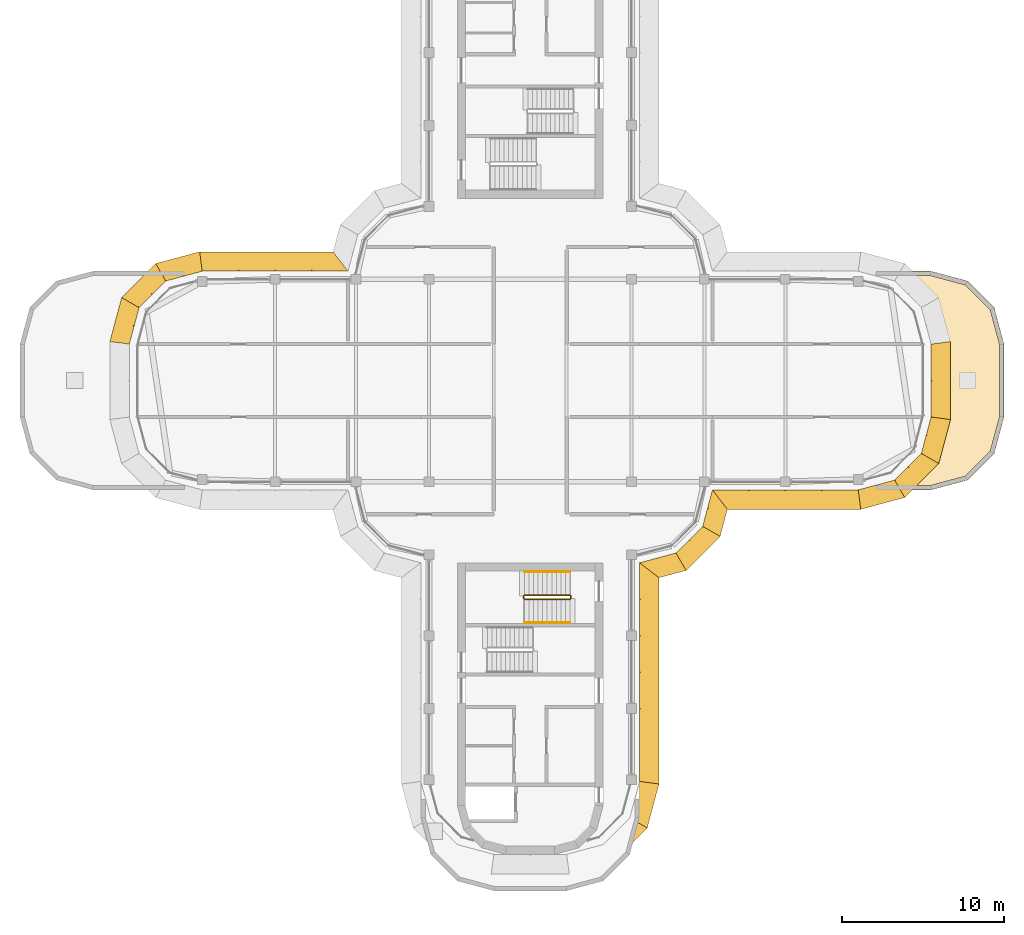
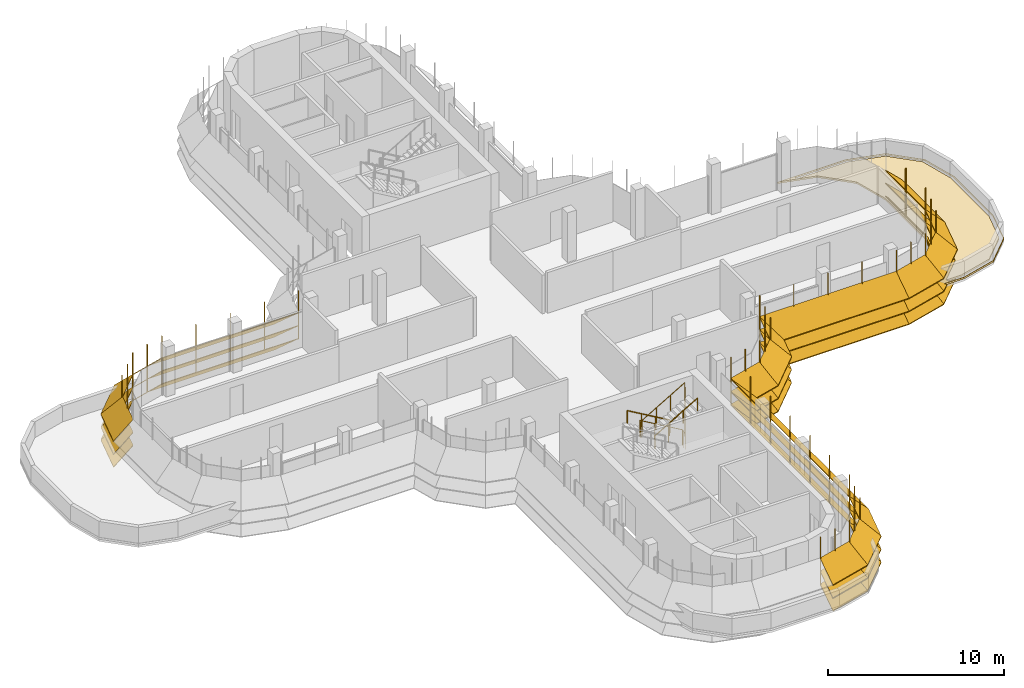
# One storey, part 18 of 20: 8 shading devices, 3 railings, 1 covering.
"""IFC4 building model written with IfcOpenShell, lengths in metres."""

from ifc_helpers import new_model, si_unit, direction, frame, origin, origin_2d, place, context, subcontext, project, spatial, polyline, circle, outline, extrude, faceted_brep, source, transform, mapped, material, layer, layer_set, type_object, element, save


model = new_model("IFC4")

# Units and contexts
model_context = context("Model", 3, precision=1e-05, world=origin(), true_north=direction((0.0, 1.0)))
body_context = subcontext(model_context, "Body", "Model", "MODEL_VIEW")
ifc_project = project(units=[si_unit("LENGTHUNIT", "METRE"), si_unit("AREAUNIT", "SQUARE_METRE"), si_unit("VOLUMEUNIT", "CUBIC_METRE"), si_unit("PLANEANGLEUNIT", "RADIAN"), si_unit("MASSUNIT", "GRAM", prefix="KILO")], contexts=[model_context])

# Site, building, storey
site_placement = place(None, origin())
site = spatial("IfcSite", under=ifc_project, at=site_placement, CompositionType="ELEMENT")
building_placement = place(site_placement, origin())
building = spatial("IfcBuilding", under=site, at=building_placement, Name="Zarbagh Exchange Tower", CompositionType="ELEMENT")
storey_placement = place(building_placement, frame((0.0, 0.0, 291.60009765625)))
storey = spatial("IfcBuildingStorey", under=building, at=storey_placement, Name="L71", CompositionType="ELEMENT", Elevation=291.60009765625)

# Railings
ifc_material_1 = material(Name="Stainless steel", Category="steel")
railing_type_1 = type_object("IfcRailingType", Name="Stair guard 1100 mm", PredefinedType="GUARDRAIL", material=ifc_material_1)
railing_1_placement = place(storey_placement, frame((-0.35009765625, -13.5, 1.963623046875)))
element("IfcRailing", 1, at=railing_1_placement, inside=storey, type_object=railing_type_1, Name="ST4 stair guard 1", PredefinedType="GUARDRAIL", context=body_context, shape_type="SweptSolid", body=[
    extrude(circle(Radius=0.02392578125, at=origin_2d()), frame((0.0, 0.0, 1.076171875), z_axis=(0.863393664356, 0.0, 0.504530851732), x_axis=(0.0, 1.0, 0.0)), (0.0, 0.0, 1.0), 3.2431640625),
    extrude(circle(Radius=0.02392578125, at=origin_2d()), frame((2.800048828125, 0.0, 2.71240234375), z_axis=(0.013900331382, 0.013900331382, -0.999806762117), x_axis=(-0.707106781187, 0.707106781187, 0.0)), (0.0, 0.0, 1.0), 3.6005859375),
    extrude(circle(Radius=0.02392578125, at=origin_2d()), frame((2.85009765625, 0.050048828125, -0.8876953125), z_axis=(0.0, 1.0, 0.0), x_axis=(-1.0, 0.0, 0.0)), (0.0, 0.0, 1.0), 0.14990234375),
    extrude(circle(Radius=0.02392578125, at=origin_2d()), frame((2.85009765625, 0.199951171875, -0.8876953125), z_axis=(-0.280808744504, 0.280808744504, 0.917765164963), x_axis=(-0.707106781187, -0.707106781187, 0.0)), (0.0, 0.0, 1.0), 0.17822265625),
    extrude(circle(Radius=0.02392578125, at=origin_2d()), frame((2.800048828125, 0.25, -0.72412109375), z_axis=(-0.863393664356, 0.0, 0.504530851732), x_axis=(0.0, -1.0, 0.0)), (0.0, 0.0, 1.0), 3.2431640625),
    extrude(circle(Radius=0.02392578125, at=origin_2d()), frame((0.0, 0.25, 0.912109375), z_axis=(-0.705375805398, -0.708833529934, 0.0), x_axis=(0.708833529934, -0.705375805398, 0.0)), (0.0, 0.0, 1.0), 0.070556640625),
    extrude(circle(Radius=0.02392578125, at=origin_2d()), frame((-0.0498046875, 0.199951171875, 0.912109375), z_axis=(0.0, -1.0, 0.0), x_axis=(1.0, 0.0, 0.0)), (0.0, 0.0, 1.0), 0.14990234375),
    extrude(circle(Radius=0.02099609375, at=origin_2d()), origin(), (0.0, 0.0, 1.0), 1.052001953125),
    extrude(circle(Radius=0.02099609375, at=origin_2d()), frame((0.933349609375, 0.0, 0.54541015625)), (0.0, 0.0, 1.0), 1.052001953125),
    extrude(circle(Radius=0.02099609375, at=origin_2d()), frame((1.86669921875, 0.0, 1.0908203125)), (0.0, 0.0, 1.0), 1.052001953125),
    extrude(circle(Radius=0.02099609375, at=origin_2d()), frame((2.800048828125, 0.0, 1.63623046875)), (0.0, 0.0, 1.0), 1.052001953125),
    extrude(circle(Radius=0.02099609375, at=origin_2d()), frame((2.8125, 0.012451171875, 0.736328125)), (0.0, 0.0, 1.0), 1.052001953125),
    extrude(circle(Radius=0.02099609375, at=origin_2d()), frame((2.8251953125, 0.02490234375, -0.16357421875)), (0.0, 0.0, 1.0), 1.052001953125),
    extrude(circle(Radius=0.02099609375, at=origin_2d()), frame((2.837646484375, 0.03759765625, -1.063720703125)), (0.0, 0.0, 1.0), 1.052001953125),
    extrude(circle(Radius=0.02099609375, at=origin_2d()), frame((2.85009765625, 0.050048828125, -1.963623046875)), (0.0, 0.0, 1.0), 1.052001953125),
    extrude(circle(Radius=0.02099609375, at=origin_2d()), frame((2.85009765625, 0.199951171875, -1.963623046875)), (0.0, 0.0, 1.0), 1.052001953125),
    extrude(circle(Radius=0.02099609375, at=origin_2d()), frame((2.800048828125, 0.25, -1.800048828125)), (0.0, 0.0, 1.0), 1.052001953125),
    extrude(circle(Radius=0.02099609375, at=origin_2d()), frame((1.86669921875, 0.25, -1.254638671875)), (0.0, 0.0, 1.0), 1.052001953125),
    extrude(circle(Radius=0.02099609375, at=origin_2d()), frame((0.933349609375, 0.25, -0.709228515625)), (0.0, 0.0, 1.0), 1.052001953125),
    extrude(circle(Radius=0.02099609375, at=origin_2d()), frame((0.0, 0.25, -0.163818359375)), (0.0, 0.0, 1.0), 1.052001953125),
    extrude(circle(Radius=0.02099609375, at=origin_2d()), frame((-0.0498046875, 0.199951171875, -0.163818359375)), (0.0, 0.0, 1.0), 1.052001953125),
    extrude(circle(Radius=0.02099609375, at=origin_2d()), frame((-0.0498046875, 0.050048828125, -0.163818359375)), (0.0, 0.0, 1.0), 1.052001953125),
])
railing_type_2 = type_object("IfcRailingType", Name="Stair handrail 900 mm", PredefinedType="HANDRAIL", material=ifc_material_1)
railing_2_placement = place(storey_placement, frame((2.449951171875, -11.800048828125, 0.16357421875)))
element("IfcRailing", 2, at=railing_2_placement, inside=storey, type_object=railing_type_2, Name="ST4 stair handrail 1", PredefinedType="HANDRAIL", context=body_context, shape_type="SweptSolid", body=[
    extrude(circle(Radius=0.02392578125, at=origin_2d()), frame((0.0, 0.0, 0.8759765625), z_axis=(-0.863393664356, 0.0, 0.504530851732), x_axis=(0.0, -1.0, 0.0)), (0.0, 0.0, 1.0), 3.2431640625),
    extrude(circle(Radius=0.02099609375, at=origin_2d()), origin(), (0.0, 0.0, 1.0), 0.851806640625),
    extrude(circle(Radius=0.02099609375, at=origin_2d()), frame((-0.933349609375, 0.0, 0.54541015625)), (0.0, 0.0, 1.0), 0.851806640625),
    extrude(circle(Radius=0.02099609375, at=origin_2d()), frame((-1.86669921875, 0.0, 1.0908203125)), (0.0, 0.0, 1.0), 0.851806640625),
    extrude(circle(Radius=0.02099609375, at=origin_2d()), frame((-2.800048828125, 0.0, 1.63623046875)), (0.0, 0.0, 1.0), 0.851806640625),
])
railing_3_placement = place(storey_placement, frame((-0.35009765625, -14.949951171875, 1.963623046875)))
element("IfcRailing", 3, at=railing_3_placement, inside=storey, type_object=railing_type_2, Name="ST4 stair handrail 2", PredefinedType="HANDRAIL", context=body_context, shape_type="SweptSolid", body=[
    extrude(circle(Radius=0.02392578125, at=origin_2d()), frame((0.0, 0.0, 0.8759765625), z_axis=(0.863393664356, 0.0, 0.504530851732), x_axis=(0.0, 1.0, 0.0)), (0.0, 0.0, 1.0), 3.2431640625),
    extrude(circle(Radius=0.02099609375, at=origin_2d()), origin(), (0.0, 0.0, 1.0), 0.851806640625),
    extrude(circle(Radius=0.02099609375, at=origin_2d()), frame((0.933349609375, 0.0, 0.54541015625)), (0.0, 0.0, 1.0), 0.851806640625),
    extrude(circle(Radius=0.02099609375, at=origin_2d()), frame((1.86669921875, 0.0, 1.0908203125)), (0.0, 0.0, 1.0), 0.851806640625),
    extrude(circle(Radius=0.02099609375, at=origin_2d()), frame((2.800048828125, 0.0, 1.63623046875)), (0.0, 0.0, 1.0), 0.851806640625),
])

# Covering
ifc_material_2 = material(Name="Bituminous membrane and screed")
ifc_layer = layer(ifc_material_2, 0.1201171875)
ifc_layer_set = layer_set([ifc_layer], Name="Terrace roofing build-up, waterproofing and screed")
covering_type = type_object("IfcCoveringType", Name="Terrace roofing build-up, waterproofing and screed", PredefinedType="ROOFING", material=ifc_layer_set)
covering_placement = place(storey_placement, origin())
element("IfcCovering", 4, at=covering_placement, inside=storey, type_object=covering_type, Name="crown roofing", PredefinedType="ROOFING", context=body_context, shape_type="SweptSolid", body=[
    extrude(outline(polyline([(27.0, 6.147216796875), (28.647216796875, 4.5), (29.25, 2.25), (29.25, -2.25), (28.647216796875, -4.5), (27.0, -6.147216796875), (24.75, -6.75), (20.25, -6.75), (22.5, -6.147216796875), (24.147216796875, -4.5), (24.75, -2.25), (24.75, 2.25), (24.147216796875, 4.5), (22.5, 6.147216796875), (20.25, 6.75), (24.75, 6.75), (27.0, 6.147216796875)]), holes=[polyline([(21.351318359375, -6.47998046875), (21.351318359375, -6.72998046875), (24.747314453125, -6.72998046875), (26.989501953125, -6.129150390625), (28.629150390625, -4.489501953125), (29.22998046875, -2.247314453125), (29.22998046875, 2.247314453125), (28.629150390625, 4.489501953125), (26.989501953125, 6.129150390625), (24.747314453125, 6.72998046875), (21.351318359375, 6.72998046875), (21.351318359375, 6.47998046875), (24.714599609375, 6.47998046875), (26.860107421875, 5.905029296875), (28.405029296875, 4.360107421875), (28.97998046875, 2.214599609375), (28.97998046875, -2.214599609375), (28.405029296875, -4.360107421875), (26.860107421875, -5.905029296875), (24.714599609375, -6.47998046875), (21.351318359375, -6.47998046875)])]), origin(), (0.0, 0.0, 1.0), 0.119873046875),
])

# Shading devices
ifc_material_3 = material(Name="Anodised aluminium blades and brackets", Category="aluminium")
shading_device_type = type_object("IfcShadingDeviceType", Name="SUNSHADE louvre band, 45 degree blades", PredefinedType="JALOUSIE", material=ifc_material_3)
shared_shape_1 = source(origin(), body_context, "Body", "Brep", [
    faceted_brep([(0.0, 0.0, 0.0), (0.0, 0.0, -0.056640625), (-0.157958984375, -1.199951171875, -1.256591796875), (-0.157958984375, -1.199951171875, -1.199951171875), (2.65087890625, -1.199951171875, -1.199951171875), (2.65087890625, -1.199951171875, -1.256591796875), (2.329345703125, 0.0, -0.056640625), (2.329345703125, 0.0, 0.0)], [[[0, 1, 2, 3]], [[4, 5, 6, 7]], [[0, 7, 6, 1]], [[1, 6, 5, 2]], [[2, 5, 4, 3]], [[3, 4, 7, 0]]]),
])
shared_shape_2 = source(origin(), body_context, "Body", "Brep", [
    faceted_brep([(0.0, 0.0, 0.0), (0.0, 0.0, -0.056640625), (-0.321533203125, -1.199951171875, -1.256591796875), (-0.321533203125, -1.199951171875, -1.199951171875), (2.65087890625, -1.199951171875, -1.199951171875), (2.65087890625, -1.199951171875, -1.256591796875), (2.329345703125, 0.0, -0.056640625), (2.329345703125, 0.0, 0.0)], [[[0, 1, 2, 3]], [[4, 5, 6, 7]], [[0, 7, 6, 1]], [[1, 6, 5, 2]], [[2, 5, 4, 3]], [[3, 4, 7, 0]]]),
])
shared_shape_3 = source(origin(), body_context, "Body", "Brep", [
    faceted_brep([(0.0, 0.0, 0.0), (0.0, 0.0, -0.056640625), (-0.321533203125, -1.199951171875, -1.256591796875), (-0.321533203125, -1.199951171875, -1.199951171875), (2.4873046875, -1.199951171875, -1.199951171875), (2.4873046875, -1.199951171875, -1.256591796875), (2.329345703125, 0.0, -0.056640625), (2.329345703125, 0.0, 0.0)], [[[0, 1, 2, 3]], [[4, 5, 6, 7]], [[0, 7, 6, 1]], [[1, 6, 5, 2]], [[2, 5, 4, 3]], [[3, 4, 7, 0]]]),
])
shared_shape_4 = source(origin(), body_context, "Body", "SweptSolid", [
    extrude(outline(polyline([(0.0, -0.012451171875), (0.06005859375, -0.012451171875), (0.06005859375, 0.012451171875), (0.0, 0.012451171875), (0.0, -0.012451171875)])), origin(), (0.0, 0.0, 1.0), 3.366455078125),
])
placement = place(storey_placement, origin())
element("IfcShadingDevice", 5, at=placement, inside=storey, type_object=shading_device_type, Name="SS55 sunshade band", PredefinedType="JALOUSIE", context=body_context, shape_type="MappedRepresentation", body=[
    mapped(shared_shape_1, transform((2.25, -29.25, 2.099853515625), x_axis=(0.965924289636, 0.258824779902, 0.0), y_axis=(-0.258824779902, 0.965924289636, 0.0), z_axis=(0.0, 0.0, 1.0))),
    mapped(shared_shape_1, transform((2.25, -29.25, 1.199951171875), x_axis=(0.965924289636, 0.258824779902, 0.0), y_axis=(-0.258824779902, 0.965924289636, 0.0), z_axis=(0.0, 0.0, 1.0))),
    mapped(shared_shape_1, transform((2.25, -29.25, 0.2998046875), x_axis=(0.965924289636, 0.258824779902, 0.0), y_axis=(-0.258824779902, 0.965924289636, 0.0), z_axis=(0.0, 0.0, 1.0))),
    mapped(shared_shape_2, transform((4.5, -28.647216796875, 2.099853515625), x_axis=(0.707106781187, 0.707106781187, 0.0), y_axis=(-0.707106781187, 0.707106781187, 0.0), z_axis=(0.0, 0.0, 1.0))),
    mapped(shared_shape_2, transform((4.5, -28.647216796875, 1.199951171875), x_axis=(0.707106781187, 0.707106781187, 0.0), y_axis=(-0.707106781187, 0.707106781187, 0.0), z_axis=(0.0, 0.0, 1.0))),
    mapped(shared_shape_2, transform((4.5, -28.647216796875, 0.2998046875), x_axis=(0.707106781187, 0.707106781187, 0.0), y_axis=(-0.707106781187, 0.707106781187, 0.0), z_axis=(0.0, 0.0, 1.0))),
    mapped(shared_shape_3, transform((6.147216796875, -27.0, 2.099853515625), x_axis=(0.258824779902, 0.965924289636, 0.0), y_axis=(-0.965924289636, 0.258824779902, 0.0), z_axis=(0.0, 0.0, 1.0))),
    mapped(shared_shape_3, transform((6.147216796875, -27.0, 1.199951171875), x_axis=(0.258824779902, 0.965924289636, 0.0), y_axis=(-0.965924289636, 0.258824779902, 0.0), z_axis=(0.0, 0.0, 1.0))),
    mapped(shared_shape_3, transform((6.147216796875, -27.0, 0.2998046875), x_axis=(0.258824779902, 0.965924289636, 0.0), y_axis=(-0.965924289636, 0.258824779902, 0.0), z_axis=(0.0, 0.0, 1.0))),
    mapped(shared_shape_4, transform((2.25, -29.25, 0.21337890625), x_axis=(0.130529263012, -0.991444457092, 0.0), y_axis=(0.991444457092, 0.130529263012, 0.0), z_axis=(0.0, 0.0, 1.0))),
    mapped(shared_shape_4, transform((3.375, -28.948486328125, 0.21337890625), x_axis=(0.258825058029, -0.96592421511, 0.0), y_axis=(0.96592421511, 0.258825058029, 0.0), z_axis=(0.0, 0.0, 1.0))),
    mapped(shared_shape_4, transform((4.5, -28.647216796875, 0.21337890625), x_axis=(0.50000275701, -0.866023812018, 0.0), y_axis=(0.866023812018, 0.50000275701, 0.0), z_axis=(0.0, 0.0, 1.0))),
    mapped(shared_shape_4, transform((5.323486328125, -27.823486328125, 0.21337890625), x_axis=(0.707106781187, -0.707106781187, 0.0), y_axis=(0.707106781187, 0.707106781187, 0.0), z_axis=(0.0, 0.0, 1.0))),
    mapped(shared_shape_4, transform((6.147216796875, -27.0, 0.21337890625), x_axis=(0.866023812018, -0.50000275701, 0.0), y_axis=(0.50000275701, 0.866023812018, 0.0), z_axis=(0.0, 0.0, 1.0))),
    mapped(shared_shape_4, transform((6.448486328125, -25.875, 0.21337890625), x_axis=(0.96592421511, -0.258825058029, 0.0), y_axis=(0.258825058029, 0.96592421511, 0.0), z_axis=(0.0, 0.0, 1.0))),
])
element("IfcShadingDevice", 6, at=placement, inside=storey, type_object=shading_device_type, Name="SS58 sunshade band", PredefinedType="JALOUSIE", context=body_context, shape_type="MappedRepresentation", body=[
    mapped(shared_shape_1, transform((20.25, -6.75, 2.099853515625), x_axis=(0.965924289636, 0.258824779902, 0.0), y_axis=(-0.258824779902, 0.965924289636, 0.0), z_axis=(0.0, 0.0, 1.0))),
    mapped(shared_shape_1, transform((20.25, -6.75, 1.199951171875), x_axis=(0.965924289636, 0.258824779902, 0.0), y_axis=(-0.258824779902, 0.965924289636, 0.0), z_axis=(0.0, 0.0, 1.0))),
    mapped(shared_shape_1, transform((20.25, -6.75, 0.2998046875), x_axis=(0.965924289636, 0.258824779902, 0.0), y_axis=(-0.258824779902, 0.965924289636, 0.0), z_axis=(0.0, 0.0, 1.0))),
    mapped(shared_shape_2, transform((22.5, -6.147216796875, 2.099853515625), x_axis=(0.707106781187, 0.707106781187, 0.0), y_axis=(-0.707106781187, 0.707106781187, 0.0), z_axis=(0.0, 0.0, 1.0))),
    mapped(shared_shape_2, transform((22.5, -6.147216796875, 1.199951171875), x_axis=(0.707106781187, 0.707106781187, 0.0), y_axis=(-0.707106781187, 0.707106781187, 0.0), z_axis=(0.0, 0.0, 1.0))),
    mapped(shared_shape_2, transform((22.5, -6.147216796875, 0.2998046875), x_axis=(0.707106781187, 0.707106781187, 0.0), y_axis=(-0.707106781187, 0.707106781187, 0.0), z_axis=(0.0, 0.0, 1.0))),
    mapped(shared_shape_3, transform((24.147216796875, -4.5, 2.099853515625), x_axis=(0.258824779902, 0.965924289636, 0.0), y_axis=(-0.965924289636, 0.258824779902, 0.0), z_axis=(0.0, 0.0, 1.0))),
    mapped(shared_shape_3, transform((24.147216796875, -4.5, 1.199951171875), x_axis=(0.258824779902, 0.965924289636, 0.0), y_axis=(-0.965924289636, 0.258824779902, 0.0), z_axis=(0.0, 0.0, 1.0))),
    mapped(shared_shape_3, transform((24.147216796875, -4.5, 0.2998046875), x_axis=(0.258824779902, 0.965924289636, 0.0), y_axis=(-0.965924289636, 0.258824779902, 0.0), z_axis=(0.0, 0.0, 1.0))),
    mapped(shared_shape_4, transform((20.25, -6.75, 0.21337890625), x_axis=(0.130529263012, -0.991444457092, 0.0), y_axis=(0.991444457092, 0.130529263012, 0.0), z_axis=(0.0, 0.0, 1.0))),
    mapped(shared_shape_4, transform((21.375, -6.448486328125, 0.21337890625), x_axis=(0.258825058029, -0.96592421511, 0.0), y_axis=(0.96592421511, 0.258825058029, 0.0), z_axis=(0.0, 0.0, 1.0))),
    mapped(shared_shape_4, transform((22.5, -6.147216796875, 0.21337890625), x_axis=(0.50000275701, -0.866023812018, 0.0), y_axis=(0.866023812018, 0.50000275701, 0.0), z_axis=(0.0, 0.0, 1.0))),
    mapped(shared_shape_4, transform((23.323486328125, -5.323486328125, 0.21337890625), x_axis=(0.707106781187, -0.707106781187, 0.0), y_axis=(0.707106781187, 0.707106781187, 0.0), z_axis=(0.0, 0.0, 1.0))),
    mapped(shared_shape_4, transform((24.147216796875, -4.5, 0.21337890625), x_axis=(0.866023812018, -0.50000275701, 0.0), y_axis=(0.50000275701, 0.866023812018, 0.0), z_axis=(0.0, 0.0, 1.0))),
    mapped(shared_shape_4, transform((24.448486328125, -3.375, 0.21337890625), x_axis=(0.96592421511, -0.258825058029, 0.0), y_axis=(0.258825058029, 0.96592421511, 0.0), z_axis=(0.0, 0.0, 1.0))),
])
element("IfcShadingDevice", 7, at=placement, inside=storey, type_object=shading_device_type, Name="SS63 sunshade band", PredefinedType="JALOUSIE", context=body_context, shape_type="MappedRepresentation", body=[
    mapped(shared_shape_1, transform((-20.25, 6.75, 2.099853515625), x_axis=(-0.965924289636, -0.258824779902, 0.0), y_axis=(0.258824779902, -0.965924289636, 0.0), z_axis=(0.0, 0.0, 1.0))),
    mapped(shared_shape_1, transform((-20.25, 6.75, 1.199951171875), x_axis=(-0.965924289636, -0.258824779902, 0.0), y_axis=(0.258824779902, -0.965924289636, 0.0), z_axis=(0.0, 0.0, 1.0))),
    mapped(shared_shape_1, transform((-20.25, 6.75, 0.2998046875), x_axis=(-0.965924289636, -0.258824779902, 0.0), y_axis=(0.258824779902, -0.965924289636, 0.0), z_axis=(0.0, 0.0, 1.0))),
    mapped(shared_shape_2, transform((-22.5, 6.147216796875, 2.099853515625), x_axis=(-0.707106781187, -0.707106781187, 0.0), y_axis=(0.707106781187, -0.707106781187, 0.0), z_axis=(0.0, 0.0, 1.0))),
    mapped(shared_shape_2, transform((-22.5, 6.147216796875, 1.199951171875), x_axis=(-0.707106781187, -0.707106781187, 0.0), y_axis=(0.707106781187, -0.707106781187, 0.0), z_axis=(0.0, 0.0, 1.0))),
    mapped(shared_shape_2, transform((-22.5, 6.147216796875, 0.2998046875), x_axis=(-0.707106781187, -0.707106781187, 0.0), y_axis=(0.707106781187, -0.707106781187, 0.0), z_axis=(0.0, 0.0, 1.0))),
    mapped(shared_shape_3, transform((-24.147216796875, 4.5, 2.099853515625), x_axis=(-0.258824779902, -0.965924289636, 0.0), y_axis=(0.965924289636, -0.258824779902, 0.0), z_axis=(0.0, 0.0, 1.0))),
    mapped(shared_shape_3, transform((-24.147216796875, 4.5, 1.199951171875), x_axis=(-0.258824779902, -0.965924289636, 0.0), y_axis=(0.965924289636, -0.258824779902, 0.0), z_axis=(0.0, 0.0, 1.0))),
    mapped(shared_shape_3, transform((-24.147216796875, 4.5, 0.2998046875), x_axis=(-0.258824779902, -0.965924289636, 0.0), y_axis=(0.965924289636, -0.258824779902, 0.0), z_axis=(0.0, 0.0, 1.0))),
    mapped(shared_shape_4, transform((-20.25, 6.75, 0.21337890625), x_axis=(-0.130529263012, 0.991444457092, 0.0), y_axis=(-0.991444457092, -0.130529263012, 0.0), z_axis=(0.0, 0.0, 1.0))),
    mapped(shared_shape_4, transform((-21.375, 6.448486328125, 0.21337890625), x_axis=(-0.258825058029, 0.96592421511, 0.0), y_axis=(-0.96592421511, -0.258825058029, 0.0), z_axis=(0.0, 0.0, 1.0))),
    mapped(shared_shape_4, transform((-22.5, 6.147216796875, 0.21337890625), x_axis=(-0.50000275701, 0.866023812018, 0.0), y_axis=(-0.866023812018, -0.50000275701, 0.0), z_axis=(0.0, 0.0, 1.0))),
    mapped(shared_shape_4, transform((-23.323486328125, 5.323486328125, 0.21337890625), x_axis=(-0.707106781187, 0.707106781187, 0.0), y_axis=(-0.707106781187, -0.707106781187, 0.0), z_axis=(0.0, 0.0, 1.0))),
    mapped(shared_shape_4, transform((-24.147216796875, 4.5, 0.21337890625), x_axis=(-0.866023812018, 0.50000275701, 0.0), y_axis=(-0.50000275701, -0.866023812018, 0.0), z_axis=(0.0, 0.0, 1.0))),
    mapped(shared_shape_4, transform((-24.448486328125, 3.375, 0.21337890625), x_axis=(-0.96592421511, 0.258825058029, 0.0), y_axis=(-0.258825058029, -0.96592421511, 0.0), z_axis=(0.0, 0.0, 1.0))),
])
shared_shape_5 = source(origin(), body_context, "Body", "Brep", [
    faceted_brep([(0.0, 0.0, 0.0), (0.0, 0.0, -0.056640625), (0.9208984375, -1.199951171875, -1.256591796875), (0.9208984375, -1.199951171875, -1.199951171875), (2.65087890625, -1.199951171875, -1.199951171875), (2.65087890625, -1.199951171875, -1.256591796875), (2.329345703125, 0.0, -0.056640625), (2.329345703125, 0.0, 0.0)], [[[0, 1, 2, 3]], [[4, 5, 6, 7]], [[0, 7, 6, 1]], [[1, 6, 5, 2]], [[2, 5, 4, 3]], [[3, 4, 7, 0]]]),
])
shared_shape_6 = source(origin(), body_context, "Body", "Brep", [
    faceted_brep([(0.0, 0.0, 0.0), (0.0, 0.0, -0.056640625), (-0.321533203125, -1.199951171875, -1.256591796875), (-0.321533203125, -1.199951171875, -1.199951171875), (1.40869140625, -1.199951171875, -1.199951171875), (1.40869140625, -1.199951171875, -1.256591796875), (2.329345703125, 0.0, -0.056640625), (2.329345703125, 0.0, 0.0)], [[[0, 1, 2, 3]], [[4, 5, 6, 7]], [[0, 7, 6, 1]], [[1, 6, 5, 2]], [[2, 5, 4, 3]], [[3, 4, 7, 0]]]),
])
element("IfcShadingDevice", 8, at=placement, inside=storey, type_object=shading_device_type, Name="SS03 sunshade band", PredefinedType="JALOUSIE", context=body_context, shape_type="MappedRepresentation", body=[
    mapped(shared_shape_5, transform((6.75, -11.25, 2.099853515625), x_axis=(0.965924289636, 0.258824779902, 0.0), y_axis=(-0.258824779902, 0.965924289636, 0.0), z_axis=(0.0, 0.0, 1.0))),
    mapped(shared_shape_5, transform((6.75, -11.25, 1.199951171875), x_axis=(0.965924289636, 0.258824779902, 0.0), y_axis=(-0.258824779902, 0.965924289636, 0.0), z_axis=(0.0, 0.0, 1.0))),
    mapped(shared_shape_5, transform((6.75, -11.25, 0.2998046875), x_axis=(0.965924289636, 0.258824779902, 0.0), y_axis=(-0.258824779902, 0.965924289636, 0.0), z_axis=(0.0, 0.0, 1.0))),
    mapped(shared_shape_2, transform((9.0, -10.647216796875, 2.099853515625), x_axis=(0.707106781187, 0.707106781187, 0.0), y_axis=(-0.707106781187, 0.707106781187, 0.0), z_axis=(0.0, 0.0, 1.0))),
    mapped(shared_shape_2, transform((9.0, -10.647216796875, 1.199951171875), x_axis=(0.707106781187, 0.707106781187, 0.0), y_axis=(-0.707106781187, 0.707106781187, 0.0), z_axis=(0.0, 0.0, 1.0))),
    mapped(shared_shape_2, transform((9.0, -10.647216796875, 0.2998046875), x_axis=(0.707106781187, 0.707106781187, 0.0), y_axis=(-0.707106781187, 0.707106781187, 0.0), z_axis=(0.0, 0.0, 1.0))),
    mapped(shared_shape_6, transform((10.647216796875, -9.0, 2.099853515625), x_axis=(0.258824779902, 0.965924289636, 0.0), y_axis=(-0.965924289636, 0.258824779902, 0.0), z_axis=(0.0, 0.0, 1.0))),
    mapped(shared_shape_6, transform((10.647216796875, -9.0, 1.199951171875), x_axis=(0.258824779902, 0.965924289636, 0.0), y_axis=(-0.965924289636, 0.258824779902, 0.0), z_axis=(0.0, 0.0, 1.0))),
    mapped(shared_shape_6, transform((10.647216796875, -9.0, 0.2998046875), x_axis=(0.258824779902, 0.965924289636, 0.0), y_axis=(-0.965924289636, 0.258824779902, 0.0), z_axis=(0.0, 0.0, 1.0))),
    mapped(shared_shape_4, transform((6.75, -11.25, 0.21337890625), x_axis=(0.793355287, -0.608758892, 0.0), y_axis=(0.608758892, 0.793355287, 0.0), z_axis=(0.0, 0.0, 1.0))),
    mapped(shared_shape_4, transform((7.875, -10.948486328125, 0.21337890625), x_axis=(0.258825058029, -0.96592421511, 0.0), y_axis=(0.96592421511, 0.258825058029, 0.0), z_axis=(0.0, 0.0, 1.0))),
    mapped(shared_shape_4, transform((9.0, -10.647216796875, 0.21337890625), x_axis=(0.50000275701, -0.866023812018, 0.0), y_axis=(0.866023812018, 0.50000275701, 0.0), z_axis=(0.0, 0.0, 1.0))),
    mapped(shared_shape_4, transform((9.823486328125, -9.823486328125, 0.21337890625), x_axis=(0.707106781187, -0.707106781187, 0.0), y_axis=(0.707106781187, 0.707106781187, 0.0), z_axis=(0.0, 0.0, 1.0))),
    mapped(shared_shape_4, transform((10.647216796875, -9.0, 0.21337890625), x_axis=(0.866023812018, -0.50000275701, 0.0), y_axis=(0.50000275701, 0.866023812018, 0.0), z_axis=(0.0, 0.0, 1.0))),
    mapped(shared_shape_4, transform((10.948486328125, -7.875, 0.21337890625), x_axis=(0.96592421511, -0.258825058029, 0.0), y_axis=(0.258825058029, 0.96592421511, 0.0), z_axis=(0.0, 0.0, 1.0))),
])
shared_shape_7 = source(origin(), body_context, "Body", "Brep", [
    faceted_brep([(0.0, 0.0, 0.0), (0.0, 0.0, -0.056640625), (-0.157958984375, -1.199951171875, -1.256591796875), (-0.157958984375, -1.199951171875, -1.199951171875), (12.5791015625, -1.199951171875, -1.199951171875), (12.5791015625, -1.199951171875, -1.256591796875), (13.5, 0.0, -0.056640625), (13.5, 0.0, 0.0)], [[[0, 1, 2, 3]], [[4, 5, 6, 7]], [[0, 7, 6, 1]], [[1, 6, 5, 2]], [[2, 5, 4, 3]], [[3, 4, 7, 0]]]),
])
element("IfcShadingDevice", 9, at=placement, inside=storey, type_object=shading_device_type, Name="SS56 sunshade band", PredefinedType="JALOUSIE", context=body_context, shape_type="MappedRepresentation", body=[
    mapped(shared_shape_7, transform((6.75, -24.75, 2.099853515625), x_axis=(0.0, 1.0, 0.0), y_axis=(-1.0, 0.0, 0.0), z_axis=(0.0, 0.0, 1.0))),
    mapped(shared_shape_7, transform((6.75, -24.75, 1.199951171875), x_axis=(0.0, 1.0, 0.0), y_axis=(-1.0, 0.0, 0.0), z_axis=(0.0, 0.0, 1.0))),
    mapped(shared_shape_7, transform((6.75, -24.75, 0.2998046875), x_axis=(0.0, 1.0, 0.0), y_axis=(-1.0, 0.0, 0.0), z_axis=(0.0, 0.0, 1.0))),
    mapped(shared_shape_4, transform((6.75, -24.75, 0.21337890625), x_axis=(0.991444457092, -0.130529263012, 0.0), y_axis=(0.130529263012, 0.991444457092, 0.0), z_axis=(0.0, 0.0, 1.0))),
    mapped(shared_shape_4, transform((6.75, -22.5, 0.21337890625), x_axis=(1.0, 0.0, 0.0), y_axis=(0.0, 1.0, 0.0), z_axis=(0.0, 0.0, 1.0))),
    mapped(shared_shape_4, transform((6.75, -20.25, 0.21337890625), x_axis=(1.0, 0.0, 0.0), y_axis=(0.0, 1.0, 0.0), z_axis=(0.0, 0.0, 1.0))),
    mapped(shared_shape_4, transform((6.75, -18.0, 0.21337890625), x_axis=(1.0, 0.0, 0.0), y_axis=(0.0, 1.0, 0.0), z_axis=(0.0, 0.0, 1.0))),
    mapped(shared_shape_4, transform((6.75, -15.75, 0.21337890625), x_axis=(1.0, 0.0, 0.0), y_axis=(0.0, 1.0, 0.0), z_axis=(0.0, 0.0, 1.0))),
    mapped(shared_shape_4, transform((6.75, -13.5, 0.21337890625), x_axis=(1.0, 0.0, 0.0), y_axis=(0.0, 1.0, 0.0), z_axis=(0.0, 0.0, 1.0))),
])
shared_shape_8 = source(origin(), body_context, "Body", "Brep", [
    faceted_brep([(0.0, 0.0, 0.0), (0.0, 0.0, -0.056640625), (0.9208984375, -1.199951171875, -1.256591796875), (0.9208984375, -1.199951171875, -1.199951171875), (9.157958984375, -1.199951171875, -1.199951171875), (9.157958984375, -1.199951171875, -1.256591796875), (9.0, 0.0, -0.056640625), (9.0, 0.0, 0.0)], [[[0, 1, 2, 3]], [[4, 5, 6, 7]], [[0, 7, 6, 1]], [[1, 6, 5, 2]], [[2, 5, 4, 3]], [[3, 4, 7, 0]]]),
])
element("IfcShadingDevice", 10, at=placement, inside=storey, type_object=shading_device_type, Name="SS57 sunshade band", PredefinedType="JALOUSIE", context=body_context, shape_type="MappedRepresentation", body=[
    mapped(shared_shape_8, transform((11.25, -6.75, 2.099853515625), x_axis=(1.0, 0.0, 0.0), y_axis=(0.0, 1.0, 0.0), z_axis=(0.0, 0.0, 1.0))),
    mapped(shared_shape_8, transform((11.25, -6.75, 1.199951171875), x_axis=(1.0, 0.0, 0.0), y_axis=(0.0, 1.0, 0.0), z_axis=(0.0, 0.0, 1.0))),
    mapped(shared_shape_8, transform((11.25, -6.75, 0.2998046875), x_axis=(1.0, 0.0, 0.0), y_axis=(0.0, 1.0, 0.0), z_axis=(0.0, 0.0, 1.0))),
    mapped(shared_shape_4, transform((11.25, -6.75, 0.21337890625), x_axis=(0.608758892, -0.793355287, 0.0), y_axis=(0.793355287, 0.608758892, 0.0), z_axis=(0.0, 0.0, 1.0))),
    mapped(shared_shape_4, transform((13.5, -6.75, 0.21337890625), x_axis=(0.0, -1.0, 0.0), y_axis=(1.0, 0.0, 0.0), z_axis=(0.0, 0.0, 1.0))),
    mapped(shared_shape_4, transform((15.75, -6.75, 0.21337890625), x_axis=(0.0, -1.0, 0.0), y_axis=(1.0, 0.0, 0.0), z_axis=(0.0, 0.0, 1.0))),
    mapped(shared_shape_4, transform((18.0, -6.75, 0.21337890625), x_axis=(0.0, -1.0, 0.0), y_axis=(1.0, 0.0, 0.0), z_axis=(0.0, 0.0, 1.0))),
])
shared_shape_9 = source(origin(), body_context, "Body", "Brep", [
    faceted_brep([(0.0, 0.0, 0.0), (0.0, 0.0, -0.056640625), (-0.157958984375, -1.199951171875, -1.256591796875), (-0.157958984375, -1.199951171875, -1.199951171875), (4.657958984375, -1.199951171875, -1.199951171875), (4.657958984375, -1.199951171875, -1.256591796875), (4.5, 0.0, -0.056640625), (4.5, 0.0, 0.0)], [[[0, 1, 2, 3]], [[4, 5, 6, 7]], [[0, 7, 6, 1]], [[1, 6, 5, 2]], [[2, 5, 4, 3]], [[3, 4, 7, 0]]]),
])
element("IfcShadingDevice", 11, at=placement, inside=storey, type_object=shading_device_type, Name="SS59 sunshade band", PredefinedType="JALOUSIE", context=body_context, shape_type="MappedRepresentation", body=[
    mapped(shared_shape_9, transform((24.75, -2.25, 2.099853515625), x_axis=(0.0, 1.0, 0.0), y_axis=(-1.0, 0.0, 0.0), z_axis=(0.0, 0.0, 1.0))),
    mapped(shared_shape_9, transform((24.75, -2.25, 1.199951171875), x_axis=(0.0, 1.0, 0.0), y_axis=(-1.0, 0.0, 0.0), z_axis=(0.0, 0.0, 1.0))),
    mapped(shared_shape_9, transform((24.75, -2.25, 0.2998046875), x_axis=(0.0, 1.0, 0.0), y_axis=(-1.0, 0.0, 0.0), z_axis=(0.0, 0.0, 1.0))),
    mapped(shared_shape_4, transform((24.75, -2.25, 0.21337890625), x_axis=(0.991444457092, -0.130529263012, 0.0), y_axis=(0.130529263012, 0.991444457092, 0.0), z_axis=(0.0, 0.0, 1.0))),
    mapped(shared_shape_4, transform((24.75, 0.0, 0.21337890625), x_axis=(1.0, 0.0, 0.0), y_axis=(0.0, 1.0, 0.0), z_axis=(0.0, 0.0, 1.0))),
])
element("IfcShadingDevice", 12, at=placement, inside=storey, type_object=shading_device_type, Name="SS62 sunshade band", PredefinedType="JALOUSIE", context=body_context, shape_type="MappedRepresentation", body=[
    mapped(shared_shape_8, transform((-11.25, 6.75, 2.099853515625), x_axis=(-1.0, 0.0, 0.0), y_axis=(0.0, -1.0, 0.0), z_axis=(0.0, 0.0, 1.0))),
    mapped(shared_shape_8, transform((-11.25, 6.75, 1.199951171875), x_axis=(-1.0, 0.0, 0.0), y_axis=(0.0, -1.0, 0.0), z_axis=(0.0, 0.0, 1.0))),
    mapped(shared_shape_8, transform((-11.25, 6.75, 0.2998046875), x_axis=(-1.0, 0.0, 0.0), y_axis=(0.0, -1.0, 0.0), z_axis=(0.0, 0.0, 1.0))),
    mapped(shared_shape_4, transform((-11.25, 6.75, 0.21337890625), x_axis=(-0.608758892, 0.793355287, 0.0), y_axis=(-0.793355287, -0.608758892, 0.0), z_axis=(0.0, 0.0, 1.0))),
    mapped(shared_shape_4, transform((-13.5, 6.75, 0.21337890625), x_axis=(0.0, 1.0, 0.0), y_axis=(-1.0, 0.0, 0.0), z_axis=(0.0, 0.0, 1.0))),
    mapped(shared_shape_4, transform((-15.75, 6.75, 0.21337890625), x_axis=(0.0, 1.0, 0.0), y_axis=(-1.0, 0.0, 0.0), z_axis=(0.0, 0.0, 1.0))),
    mapped(shared_shape_4, transform((-18.0, 6.75, 0.21337890625), x_axis=(0.0, 1.0, 0.0), y_axis=(-1.0, 0.0, 0.0), z_axis=(0.0, 0.0, 1.0))),
])

save(model, "model.ifc")
